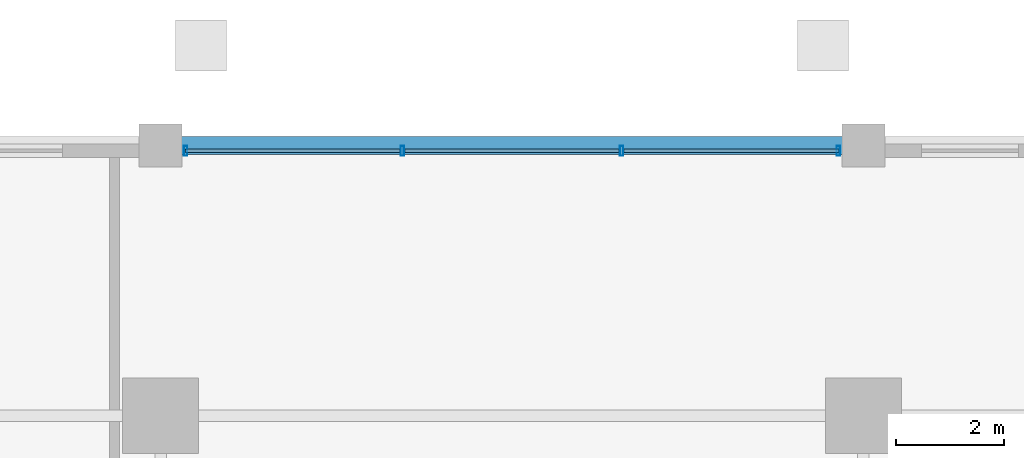
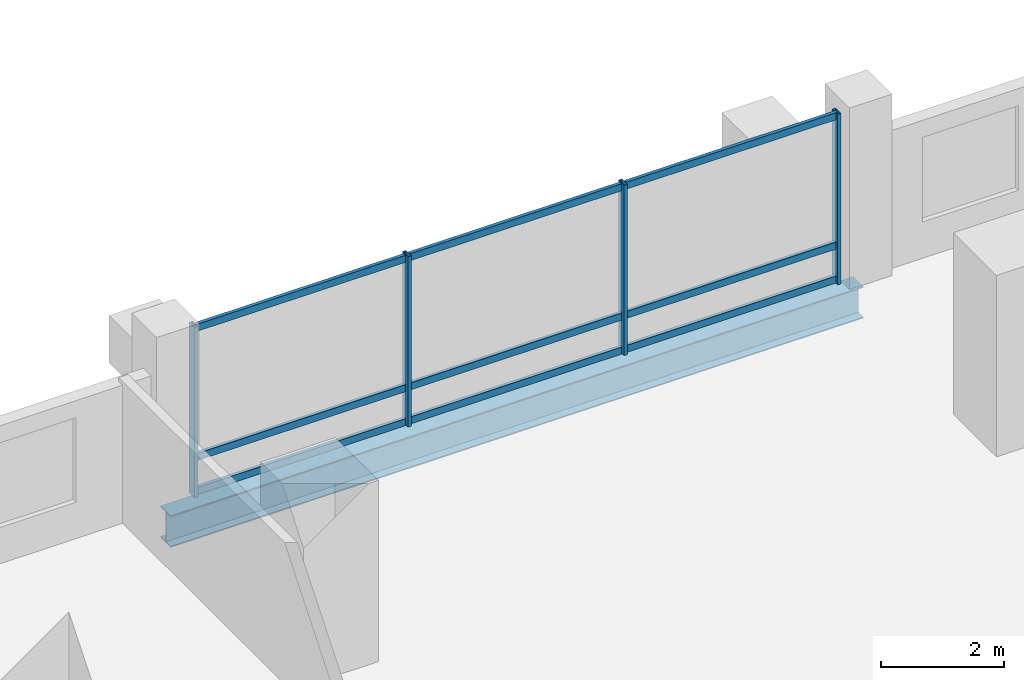
# One storey, part 13 of 23: 13 members, 1 beam, 1 element without a shape of its own.
"""IFC4 building model written with IfcOpenShell, lengths in metres."""

import ifcopenshell
import ifcopenshell.guid

model = None  # the IFC model being written
_history = None  # IfcOwnerHistory: only IFC2X3 demands one
_inside = {}  # id of a spatial element -> (the spatial element, [elements in it])
_under = {}  # id of a project, library or spatial element -> (it, [spatial elements below it])
_declared = {}  # id of a project -> (the project, [libraries it declares])
_typed = {}  # id of a type object -> (the type object, [elements of that type])
_made_of = {}  # id of a material, layer set ... -> (it, [elements and type objects made of it])


def new_model(schema):
    """Start an empty IFC model of exactly this schema.

    Asked for "IFC4X3", IfcOpenShell would pick the latest addendum, in which some entities
    have other attributes; the version numbers below select the first issue.
    IFC2X3 requires an IfcOwnerHistory on every rooted entity: one is made here for all.
    """
    global model, _history
    if schema == "IFC4X3":
        model = ifcopenshell.file(schema_version=(4, 3, 0, 0))
    else:
        model = ifcopenshell.file(schema=schema)
    _inside.clear()
    _under.clear()
    _declared.clear()
    _typed.clear()
    _made_of.clear()
    _history = None
    if model.schema == "IFC2X3":
        org = make("IfcOrganization", Name="unknown")
        user = make(
            "IfcPersonAndOrganization",
            ThePerson=make("IfcPerson", FamilyName="unknown"),
            TheOrganization=org,
        )
        app = make(
            "IfcApplication",
            ApplicationDeveloper=org,
            Version="unknown",
            ApplicationFullName="unknown",
            ApplicationIdentifier="unknown",
        )
        _history = make(
            "IfcOwnerHistory",
            OwningUser=user,
            OwningApplication=app,
            ChangeAction="ADDED",
            CreationDate=0,
        )
    return model


def make(cls, **values):
    """One entity of the class cls with the attributes given. An attribute that is None is left unset."""
    return model.create_entity(
        cls, **{name: value for name, value in values.items() if value is not None}
    )


def rooted(cls, **values):
    """An entity with a GlobalId (a new one), such as an element, a storey or a relation."""
    return make(cls, GlobalId=ifcopenshell.guid.new(), OwnerHistory=_history, **values)


def si_unit(unit_type, name, prefix=None):
    """IfcSIUnit, for example si_unit("LENGTHUNIT", "METRE", prefix="MILLI")."""
    return make("IfcSIUnit", UnitType=unit_type, Prefix=prefix, Name=name)


def assignment(units):
    """IfcUnitAssignment: the units of a project."""
    return None if units is None else make("IfcUnitAssignment", Units=units)


def point(xyz):
    """IfcCartesianPoint."""
    return None if xyz is None else make("IfcCartesianPoint", Coordinates=xyz)


def direction(xyz):
    """IfcDirection."""
    return None if xyz is None else make("IfcDirection", DirectionRatios=xyz)


def frame(location, z_axis=None, x_axis=None):
    """IfcAxis2Placement3D, a coordinate frame: its origin and axes. An axis left out is left unset."""
    return make(
        "IfcAxis2Placement3D",
        Location=point(location),
        Axis=direction(z_axis),
        RefDirection=direction(x_axis),
    )


def frame_2d(location, x_axis=None):
    """IfcAxis2Placement2D, a coordinate frame in the plane: its origin and x axis."""
    return make(
        "IfcAxis2Placement2D", Location=point(location), RefDirection=direction(x_axis)
    )


def origin():
    """The frame at (0, 0, 0) with its axes left unset."""
    return frame((0.0, 0.0, 0.0))


def origin_2d():
    """The frame at (0, 0) in the plane with its x axis left unset."""
    return frame_2d((0.0, 0.0))


def place(relative_to, where):
    """IfcLocalPlacement: puts the frame where relative to a parent placement (None: the world)."""
    return make(
        "IfcLocalPlacement", PlacementRelTo=relative_to, RelativePlacement=where
    )


def context(
    kind, dimensions, precision=None, world=None, true_north=None, identifier=None
):
    """IfcGeometricRepresentationContext, for example the 3D "Model" context."""
    return make(
        "IfcGeometricRepresentationContext",
        ContextIdentifier=identifier,
        ContextType=kind,
        CoordinateSpaceDimension=dimensions,
        Precision=precision,
        WorldCoordinateSystem=world,
        TrueNorth=true_north,
    )


def subcontext(parent, identifier, kind, view, scale=None):
    """IfcGeometricRepresentationSubContext, for example "Body" below "Model"."""
    return make(
        "IfcGeometricRepresentationSubContext",
        ContextIdentifier=identifier,
        ContextType=kind,
        ParentContext=parent,
        TargetScale=scale,
        TargetView=view,
    )


def project(units=None, contexts=None):
    """IfcProject with its units and contexts."""
    return rooted(
        "IfcProject",
        Name="project",
        RepresentationContexts=contexts,
        UnitsInContext=assignment(units),
    )


def spatial(cls, under=None, at=None, **own):
    """A site, building, storey or space (cls), placed at a placement, below another one or the project."""
    s = rooted(cls, ObjectPlacement=at, **own)
    if under is not None:
        _under.setdefault(under.id(), (under, []))[1].append(s)
    return s


def profile(cls, at=None, kind="AREA", **sizes):
    """A parametric profile (cls). Its sizes go by their IFC names, for example OverallWidth=200.0."""
    return make(cls, ProfileType=kind, Position=at, **sizes)


def hollow_rectangle(**sizes):
    """IfcRectangleHollowProfileDef."""
    return profile("IfcRectangleHollowProfileDef", **sizes)


def i_section(**sizes):
    """IfcIShapeProfileDef."""
    return profile("IfcIShapeProfileDef", **sizes)


def extrude(swept, where, along, depth):
    """IfcExtrudedAreaSolid: the profile swept, set in the frame where, extruded along a direction by depth."""
    return make(
        "IfcExtrudedAreaSolid",
        SweptArea=swept,
        Position=where,
        ExtrudedDirection=direction(along),
        Depth=depth,
    )


def shape(context_of_items, identifier, shape_type, items):
    """IfcShapeRepresentation: the items that make up one representation, for example the "Body"."""
    return make(
        "IfcShapeRepresentation",
        ContextOfItems=context_of_items,
        RepresentationIdentifier=identifier,
        RepresentationType=shape_type,
        Items=items,
    )


def material(Name=None, Category=None):
    """IfcMaterial."""
    return make("IfcMaterial", Name=Name, Category=Category)


def layer(
    of_material, thickness, ventilated=None, Name=None, Category=None, Priority=None
):
    """IfcMaterialLayer: one layer of a wall or slab, of a material (None: an air gap)."""
    return make(
        "IfcMaterialLayer",
        Material=of_material,
        LayerThickness=thickness,
        IsVentilated=ventilated,
        Name=Name,
        Category=Category,
        Priority=Priority,
    )


def layer_set(layers, Name=None):
    """IfcMaterialLayerSet."""
    return make("IfcMaterialLayerSet", MaterialLayers=layers, LayerSetName=Name)


def material_profile(
    of_material, cross_section, Name=None, Category=None, Priority=None
):
    """IfcMaterialProfile: a cross section and its material."""
    return make(
        "IfcMaterialProfile",
        Name=Name,
        Material=of_material,
        Profile=cross_section,
        Priority=Priority,
        Category=Category,
    )


def profile_set(profiles, Name=None, composite=None):
    """IfcMaterialProfileSet."""
    return make(
        "IfcMaterialProfileSet",
        Name=Name,
        MaterialProfiles=profiles,
        CompositeProfile=composite,
    )


def made_of(thing, what):
    """Note that an element or type object is made of a material, layer set ...; save() writes the relation."""
    if what is not None:
        _made_of.setdefault(what.id(), (what, []))[1].append(thing)
    return thing


def type_object(cls, material=None, **own):
    """A type object (cls), such as IfcWallType, which elements share."""
    return made_of(rooted(cls, **own), material)


def element(
    cls,
    number,
    at=None,
    inside=None,
    cuts=None,
    type_object=None,
    material=None,
    context=None,
    identifier="Body",
    shape_type=None,
    held_by="IfcProductDefinitionShape",
    body=None,
    shapes=None,
    **own,
):
    """One element of the class cls, such as IfcWall. Its Tag is "e" and its number.

    at: its placement. inside: the storey or other place that contains it. cuts: it is an
    opening in that element (IfcRelVoidsElement). A single representation is given by context,
    identifier, shape_type and body (its items); several are given by shapes. held_by: the class
    of the entity that holds the representations. save() writes the other relations.
    """
    e = rooted(cls, Tag="e%d" % number, ObjectPlacement=at, **own)
    if body is not None:
        shapes = [shape(context, identifier, shape_type, body)]
    if shapes is not None:
        e.Representation = make(held_by, Representations=shapes)
    if inside is not None:
        _inside.setdefault(inside.id(), (inside, []))[1].append(e)
    if cuts is not None:
        rooted(
            "IfcRelVoidsElement", RelatingBuildingElement=cuts, RelatedOpeningElement=e
        )
    if type_object is not None:
        _typed.setdefault(type_object.id(), (type_object, []))[1].append(e)
    return made_of(e, material)


def aggregate(whole, parts):
    """IfcRelAggregates: a whole, such as a stair, and the parts it consists of."""
    return rooted("IfcRelAggregates", RelatingObject=whole, RelatedObjects=parts)


def save(model, path):
    """Write the relations noted so far, then the file.

    IfcRelAggregates (storeys below a building ...), IfcRelContainedInSpatialStructure (elements
    in a storey), IfcRelDefinesByType, IfcRelAssociatesMaterial and IfcRelDeclares: one each for
    every whole, place, type object, material and project.
    """
    for whole, parts in _under.values():
        aggregate(whole, parts)
    for where, things in _inside.values():
        rooted(
            "IfcRelContainedInSpatialStructure",
            RelatedElements=things,
            RelatingStructure=where,
        )
    for kind, things in _typed.values():
        rooted("IfcRelDefinesByType", RelatedObjects=things, RelatingType=kind)
    for what, things in _made_of.values():
        rooted("IfcRelAssociatesMaterial", RelatedObjects=things, RelatingMaterial=what)
    for by, libraries in _declared.values():
        rooted("IfcRelDeclares", RelatingContext=by, RelatedDefinitions=libraries)
    model.write(path)


model = new_model("IFC4")

# Units and contexts
model_context = context("Model", 3, precision=1e-05, world=origin(), true_north=direction((0.0, 1.0)))
body_context = subcontext(model_context, "Body", "Model", "MODEL_VIEW")
ifc_project = project(units=[si_unit("LENGTHUNIT", "METRE"), si_unit("AREAUNIT", "SQUARE_METRE"), si_unit("VOLUMEUNIT", "CUBIC_METRE"), si_unit("PLANEANGLEUNIT", "RADIAN"), si_unit("MASSUNIT", "GRAM", prefix="KILO")], contexts=[model_context])

# Site, building, storey
site_placement = place(None, origin())
site = spatial("IfcSite", under=ifc_project, at=site_placement, CompositionType="ELEMENT")
building_placement = place(site_placement, origin())
building = spatial("IfcBuilding", under=site, at=building_placement, Name="Barlavira Tower and Art Museum", CompositionType="ELEMENT")
storey_placement = place(building_placement, frame((0.0, 0.0, 75.60009765625)))
storey = spatial("IfcBuildingStorey", under=building, at=storey_placement, Name="L18", CompositionType="ELEMENT", Elevation=75.60009765625)

# Curtain wall, members
ifc_material_1 = material(Name="Low-iron coastal laminated glass", Category="glass")
ifc_layer = layer(ifc_material_1, 0.179931640625, Name="Low-iron coastal laminated glass")
ifc_layer_set = layer_set([ifc_layer], Name="Low-iron coastal laminated glass")
curtain_wall_type = type_object("IfcCurtainWallType", Name="Pale-Metal Unitised Curtain Wall Zone 1", PredefinedType="NOTDEFINED", material=ifc_layer_set)
curtain_wall_placement = place(storey_placement, origin())
curtain_wall = element("IfcCurtainWall", 1, at=curtain_wall_placement, inside=storey, type_object=curtain_wall_type, Name="L18 Curtain Wall CW1-L18-N-B3", PredefinedType="NOTDEFINED")
ifc_material_2 = material(Name="Pale anodised aluminium", Category="aluminium")
ifc_material_profile_1 = material_profile(ifc_material_2, hollow_rectangle(XDim=0.06494140625, YDim=0.179931640625, WallThickness=0.00390625, at=origin_2d()), Name="ALU-MULL 65x180x4")
ifc_profile_set_1 = profile_set([ifc_material_profile_1], Name="Pale anodised aluminium")
member_type_1 = type_object("IfcMemberType", Name="Curtain Wall Pale-Metal Mullion 65x180", PredefinedType="MULLION", material=ifc_profile_set_1)
member_1_placement = place(storey_placement, frame((6.034912109375, 24.89990234375, 0.0), z_axis=(0.0, 0.0, 1.0), x_axis=(-1.0, 0.0, 0.0)))
member_1 = element("IfcMember", 2, at=member_1_placement, type_object=member_type_1, Name="CW1-L18-N-B3 Mullion 0", PredefinedType="MULLION", context=body_context, shape_type="SweptSolid", body=[
    extrude(hollow_rectangle(XDim=0.06494140625, YDim=0.179931640625, WallThickness=0.00390625, at=origin_2d()), origin(), (0.0, 0.0, 1.0), 3.3798828125),
])
member_2_placement = place(storey_placement, frame((2.026611328125, 24.89990234375, 0.0), z_axis=(0.0, 0.0, 1.0), x_axis=(-1.0, 0.0, 0.0)))
member_2 = element("IfcMember", 3, at=member_2_placement, type_object=member_type_1, Name="CW1-L18-N-B3 Mullion 1", PredefinedType="MULLION", context=body_context, shape_type="SweptSolid", body=[
    extrude(hollow_rectangle(XDim=0.06494140625, YDim=0.179931640625, WallThickness=0.00390625, at=origin_2d()), origin(), (0.0, 0.0, 1.0), 3.3798828125),
])
member_3_placement = place(storey_placement, frame((-2.026611328125, 24.89990234375, 0.0), z_axis=(0.0, 0.0, 1.0), x_axis=(-1.0, 0.0, 0.0)))
member_3 = element("IfcMember", 4, at=member_3_placement, type_object=member_type_1, Name="CW1-L18-N-B3 Mullion 2", PredefinedType="MULLION", context=body_context, shape_type="SweptSolid", body=[
    extrude(hollow_rectangle(XDim=0.06494140625, YDim=0.179931640625, WallThickness=0.00390625, at=origin_2d()), origin(), (0.0, 0.0, 1.0), 3.3798828125),
])
member_4_placement = place(storey_placement, frame((-6.034912109375, 24.89990234375, 0.0), z_axis=(0.0, 0.0, 1.0), x_axis=(-1.0, 0.0, 0.0)))
member_4 = element("IfcMember", 5, at=member_4_placement, type_object=member_type_1, Name="CW1-L18-N-B3 Mullion 3", PredefinedType="MULLION", context=body_context, shape_type="SweptSolid", body=[
    extrude(hollow_rectangle(XDim=0.06494140625, YDim=0.179931640625, WallThickness=0.00390625, at=origin_2d()), origin(), (0.0, 0.0, 1.0), 3.3798828125),
])
ifc_material_profile_2 = material_profile(ifc_material_2, hollow_rectangle(XDim=0.06494140625, YDim=0.139892578125, WallThickness=0.00390625, at=origin_2d()), Name="ALU-TRAN 65x140x4")
ifc_profile_set_2 = profile_set([ifc_material_profile_2], Name="Pale anodised aluminium")
member_type_2 = type_object("IfcMemberType", Name="Curtain Wall Pale-Metal Transom 65x140", PredefinedType="USERDEFINED", material=ifc_profile_set_2)
member_5_placement = place(storey_placement, frame((6.034912109375, 24.89990234375, 0.06982421875), z_axis=(-1.0, 0.0, 0.0), x_axis=(0.0, -1.0, 0.0)))
member_5 = element("IfcMember", 6, at=member_5_placement, type_object=member_type_2, Name="CW1-L18-N-B3 Transom 0.1", ObjectType="TRANSOM", PredefinedType="USERDEFINED", context=body_context, shape_type="SweptSolid", body=[
    extrude(hollow_rectangle(XDim=0.06494140625, YDim=0.139892578125, WallThickness=0.00390625, at=origin_2d()), origin(), (0.0, 0.0, 1.0), 3.963134765625),
])
member_6_placement = place(storey_placement, frame((6.034912109375, 24.89990234375, 0.743896484375), z_axis=(-1.0, 0.0, 0.0), x_axis=(0.0, -1.0, 0.0)))
member_6 = element("IfcMember", 7, at=member_6_placement, type_object=member_type_2, Name="CW1-L18-N-B3 Transom 0.2", ObjectType="TRANSOM", PredefinedType="USERDEFINED", context=body_context, shape_type="SweptSolid", body=[
    extrude(hollow_rectangle(XDim=0.06494140625, YDim=0.139892578125, WallThickness=0.00390625, at=origin_2d()), origin(), (0.0, 0.0, 1.0), 3.963134765625),
])
member_7_placement = place(storey_placement, frame((6.034912109375, 24.89990234375, 3.309814453125), z_axis=(-1.0, 0.0, 0.0), x_axis=(0.0, -1.0, 0.0)))
member_7 = element("IfcMember", 8, at=member_7_placement, type_object=member_type_2, Name="CW1-L18-N-B3 Transom 0.3", ObjectType="TRANSOM", PredefinedType="USERDEFINED", context=body_context, shape_type="SweptSolid", body=[
    extrude(hollow_rectangle(XDim=0.06494140625, YDim=0.139892578125, WallThickness=0.00390625, at=origin_2d()), origin(), (0.0, 0.0, 1.0), 3.963134765625),
])
member_8_placement = place(storey_placement, frame((1.981689453125, 24.89990234375, 0.06982421875), z_axis=(-1.0, 0.0, 0.0), x_axis=(0.0, -1.0, 0.0)))
member_8 = element("IfcMember", 9, at=member_8_placement, type_object=member_type_2, Name="CW1-L18-N-B3 Transom 1.1", ObjectType="TRANSOM", PredefinedType="USERDEFINED", context=body_context, shape_type="SweptSolid", body=[
    extrude(hollow_rectangle(XDim=0.06494140625, YDim=0.139892578125, WallThickness=0.00390625, at=origin_2d()), origin(), (0.0, 0.0, 1.0), 3.96337890625),
])
member_9_placement = place(storey_placement, frame((1.981689453125, 24.89990234375, 0.743896484375), z_axis=(-1.0, 0.0, 0.0), x_axis=(0.0, -1.0, 0.0)))
member_9 = element("IfcMember", 10, at=member_9_placement, type_object=member_type_2, Name="CW1-L18-N-B3 Transom 1.2", ObjectType="TRANSOM", PredefinedType="USERDEFINED", context=body_context, shape_type="SweptSolid", body=[
    extrude(hollow_rectangle(XDim=0.06494140625, YDim=0.139892578125, WallThickness=0.00390625, at=origin_2d()), origin(), (0.0, 0.0, 1.0), 3.96337890625),
])
member_10_placement = place(storey_placement, frame((1.981689453125, 24.89990234375, 3.309814453125), z_axis=(-1.0, 0.0, 0.0), x_axis=(0.0, -1.0, 0.0)))
member_10 = element("IfcMember", 11, at=member_10_placement, type_object=member_type_2, Name="CW1-L18-N-B3 Transom 1.3", ObjectType="TRANSOM", PredefinedType="USERDEFINED", context=body_context, shape_type="SweptSolid", body=[
    extrude(hollow_rectangle(XDim=0.06494140625, YDim=0.139892578125, WallThickness=0.00390625, at=origin_2d()), origin(), (0.0, 0.0, 1.0), 3.96337890625),
])
member_11_placement = place(storey_placement, frame((-2.07177734375, 24.89990234375, 0.06982421875), z_axis=(-1.0, 0.0, 0.0), x_axis=(0.0, -1.0, 0.0)))
member_11 = element("IfcMember", 12, at=member_11_placement, type_object=member_type_2, Name="CW1-L18-N-B3 Transom 2.1", ObjectType="TRANSOM", PredefinedType="USERDEFINED", context=body_context, shape_type="SweptSolid", body=[
    extrude(hollow_rectangle(XDim=0.06494140625, YDim=0.139892578125, WallThickness=0.00390625, at=origin_2d()), origin(), (0.0, 0.0, 1.0), 3.963134765625),
])
member_12_placement = place(storey_placement, frame((-2.07177734375, 24.89990234375, 0.743896484375), z_axis=(-1.0, 0.0, 0.0), x_axis=(0.0, -1.0, 0.0)))
member_12 = element("IfcMember", 13, at=member_12_placement, type_object=member_type_2, Name="CW1-L18-N-B3 Transom 2.2", ObjectType="TRANSOM", PredefinedType="USERDEFINED", context=body_context, shape_type="SweptSolid", body=[
    extrude(hollow_rectangle(XDim=0.06494140625, YDim=0.139892578125, WallThickness=0.00390625, at=origin_2d()), origin(), (0.0, 0.0, 1.0), 3.963134765625),
])
member_13_placement = place(storey_placement, frame((-2.07177734375, 24.89990234375, 3.309814453125), z_axis=(-1.0, 0.0, 0.0), x_axis=(0.0, -1.0, 0.0)))
member_13 = element("IfcMember", 14, at=member_13_placement, type_object=member_type_2, Name="CW1-L18-N-B3 Transom 2.3", ObjectType="TRANSOM", PredefinedType="USERDEFINED", context=body_context, shape_type="SweptSolid", body=[
    extrude(hollow_rectangle(XDim=0.06494140625, YDim=0.139892578125, WallThickness=0.00390625, at=origin_2d()), origin(), (0.0, 0.0, 1.0), 3.963134765625),
])
aggregate(curtain_wall, [member_1, member_2, member_3, member_4, member_5, member_6, member_7, member_8, member_9, member_10, member_11, member_12, member_13])

# Beam
ifc_material_3 = material(Name="Steel S355", Category="steel")
ifc_material_profile_3 = material_profile(ifc_material_3, i_section(OverallWidth=0.327880859375, OverallDepth=0.62890625, WebThickness=0.013916015625, FlangeThickness=0.021484375, at=origin_2d()), Name="W610x174.0")
ifc_profile_set_3 = profile_set([ifc_material_profile_3], Name="Steel S355")
beam_type = type_object("IfcBeamType", Name="Perimeter Spandrel Edge Beam W610x174 Steel S355", PredefinedType="SPANDREL", material=ifc_profile_set_3)
beam_placement = place(storey_placement, frame((-6.5, 25.0, -0.53466796875), z_axis=(1.0, 0.0, 0.0), x_axis=(0.0, 1.0, 0.0)))
element("IfcBeam", 15, at=beam_placement, inside=storey, type_object=beam_type, Name="L18 Spandrel 10", PredefinedType="SPANDREL", context=body_context, shape_type="SweptSolid", body=[
    extrude(i_section(OverallWidth=0.327880859375, OverallDepth=0.62890625, WebThickness=0.013916015625, FlangeThickness=0.021484375, at=origin_2d()), origin(), (0.0, 0.0, 1.0), 13.0),
])

save(model, "model.ifc")
